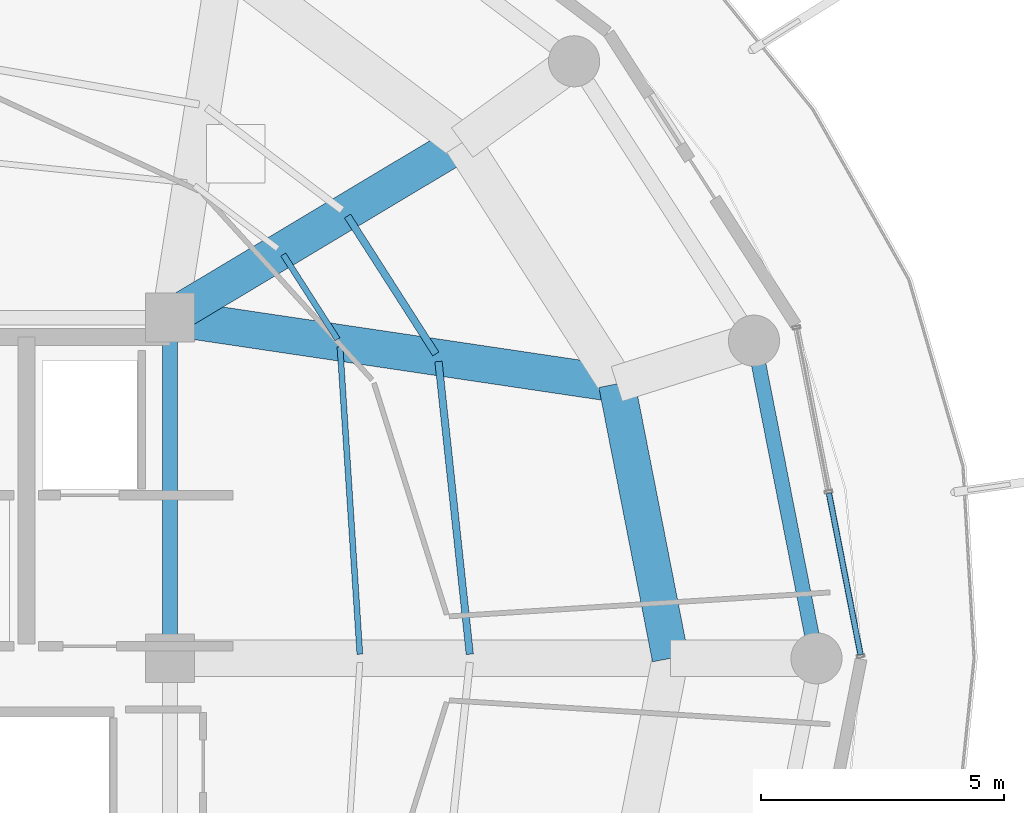
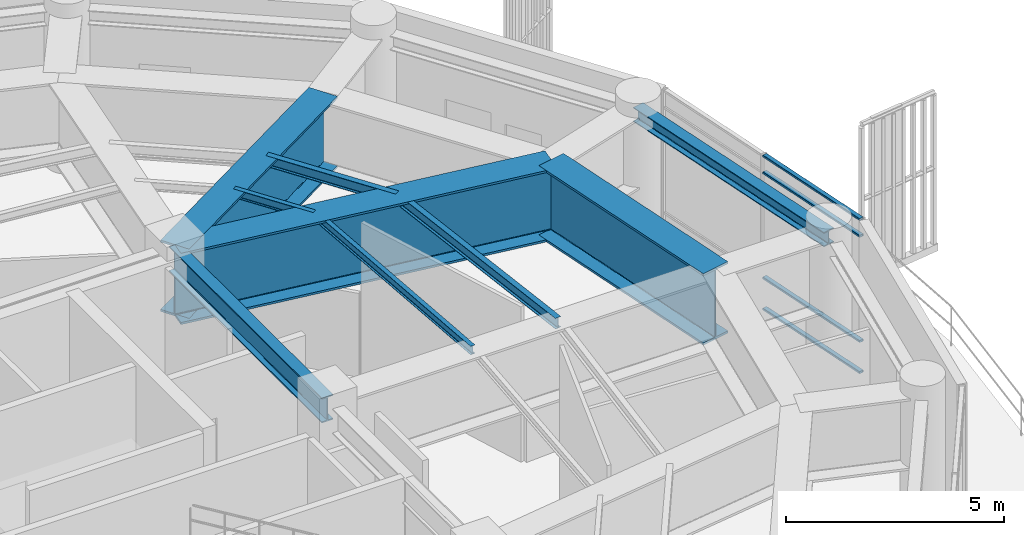
# One storey, part 14 of 29: 9 beams, 4 members, 1 element without a shape of its own.
"""IFC4 building model written with IfcOpenShell, lengths in metres."""

from ifc_helpers import new_model, si_unit, direction, frame, origin, origin_2d, place, context, subcontext, project, spatial, hollow_rectangle, i_section, extrude, material, layer, layer_set, material_profile, profile_set, type_object, element, aggregate, save


model = new_model("IFC4")

# Units and contexts
model_context = context("Model", 3, precision=1e-05, world=origin(), true_north=direction((0.0, 1.0)))
body_context = subcontext(model_context, "Body", "Model", "MODEL_VIEW")
ifc_project = project(units=[si_unit("LENGTHUNIT", "METRE"), si_unit("AREAUNIT", "SQUARE_METRE"), si_unit("VOLUMEUNIT", "CUBIC_METRE"), si_unit("PLANEANGLEUNIT", "RADIAN"), si_unit("MASSUNIT", "GRAM", prefix="KILO")], contexts=[model_context])

# Site, building, storey
site_placement = place(None, origin())
site = spatial("IfcSite", under=ifc_project, at=site_placement, CompositionType="ELEMENT")
building_placement = place(site_placement, origin())
building = spatial("IfcBuilding", under=site, at=building_placement, Name="Kelanora Arch Commons", CompositionType="ELEMENT")
storey_placement = place(building_placement, frame((0.0, 0.0, 238.199951171875)))
storey = spatial("IfcBuildingStorey", under=building, at=storey_placement, Name="L61", CompositionType="ELEMENT", Elevation=238.199951171875)

# Beams
ifc_material_1 = material(Name="Steel S355", Category="steel")
ifc_material_profile_1 = material_profile(ifc_material_1, i_section(OverallWidth=0.300048828125, OverallDepth=0.699951171875, WebThickness=0.01708984375, FlangeThickness=0.031982421875, FilletRadius=0.027099609375, at=origin_2d()), Name="HEB700")
ifc_profile_set_1 = profile_set([ifc_material_profile_1], Name="Steel S355")
beam_type_1 = type_object("IfcBeamType", Name="BM-CORE-HDR", PredefinedType="BEAM", material=ifc_profile_set_1)
beam_1_placement = place(storey_placement, frame((82.0, 58.0, 4.010009765625), z_axis=(0.0, 1.0, 0.0), x_axis=(-1.0, 0.0, 0.0)))
element("IfcBeam", 1, at=beam_1_placement, inside=storey, type_object=beam_type_1, Name="Core Header Beam 04 L61", PredefinedType="BEAM", context=body_context, shape_type="SweptSolid", body=[
    extrude(i_section(OverallWidth=0.300048828125, OverallDepth=0.699951171875, WebThickness=0.01708984375, FlangeThickness=0.031982421875, FilletRadius=0.027099609375, at=origin_2d()), origin(), (0.0, 0.0, 1.0), 7.0),
])
ifc_material_profile_2 = material_profile(ifc_material_1, i_section(OverallWidth=0.14990234375, OverallDepth=0.300048828125, WebThickness=0.007080078125, FlangeThickness=0.0107421875, FilletRadius=0.014892578125, at=origin_2d()), Name="IPE300")
ifc_profile_set_2 = profile_set([ifc_material_profile_2], Name="Steel S355")
beam_type_2 = type_object("IfcBeamType", Name="BM-JST-01", PredefinedType="JOIST", material=ifc_profile_set_2)
beam_2_placement = place(storey_placement, frame((88.158935546875, 58.08447265625, 4.2099609375), z_axis=(-0.106380594087, 0.994325484538, 0.0), x_axis=(-0.994325484538, -0.106380594087, 0.0)))
element("IfcBeam", 2, at=beam_2_placement, inside=storey, type_object=beam_type_2, Name="Secondary Chord Joist BJB-00 L61", PredefinedType="JOIST", context=body_context, shape_type="SweptSolid", body=[
    extrude(i_section(OverallWidth=0.14990234375, OverallDepth=0.300048828125, WebThickness=0.007080078125, FlangeThickness=0.0107421875, FilletRadius=0.014892578125, at=origin_2d()), origin(), (0.0, 0.0, 1.0), 6.04736328125),
])
beam_3_placement = place(storey_placement, frame((87.460693359375, 64.25341796875, 4.2099609375), z_axis=(-0.539321586177, 0.842099891155, 0.0), x_axis=(-0.842099891155, -0.539321586177, 0.0)))
element("IfcBeam", 3, at=beam_3_placement, inside=storey, type_object=beam_type_2, Name="Secondary Chord Joist BJB-02 L61", PredefinedType="JOIST", context=body_context, shape_type="SweptSolid", body=[
    extrude(i_section(OverallWidth=0.14990234375, OverallDepth=0.300048828125, WebThickness=0.007080078125, FlangeThickness=0.0107421875, FilletRadius=0.014892578125, at=origin_2d()), origin(), (0.0, 0.0, 1.0), 3.361572265625),
])
ifc_material_profile_3 = material_profile(ifc_material_1, i_section(OverallWidth=0.1201171875, OverallDepth=0.239990234375, WebThickness=0.006103515625, FlangeThickness=0.009765625, FilletRadius=0.014892578125, at=origin_2d()), Name="IPE240")
ifc_profile_set_3 = profile_set([ifc_material_profile_3], Name="Steel S355")
beam_type_3 = type_object("IfcBeamType", Name="BM-JST-02", PredefinedType="JOIST", material=ifc_profile_set_3)
beam_4_placement = place(storey_placement, frame((85.90087890625, 58.084716796875, 4.239990234375), z_axis=(-0.064495107978, 0.99791802321, 0.0), x_axis=(-0.99791802321, -0.064495107978, 0.0)))
element("IfcBeam", 4, at=beam_4_placement, inside=storey, type_object=beam_type_3, Name="Secondary Chord Joist BJA-00 L61", PredefinedType="JOIST", context=body_context, shape_type="SweptSolid", body=[
    extrude(i_section(OverallWidth=0.1201171875, OverallDepth=0.239990234375, WebThickness=0.006103515625, FlangeThickness=0.009765625, FilletRadius=0.014892578125, at=origin_2d()), origin(), (0.0, 0.0, 1.0), 6.325439453125),
])
beam_5_placement = place(storey_placement, frame((85.441650390625, 64.553466796875, 4.239990234375), z_axis=(-0.539311810315, 0.842106152011, 0.0), x_axis=(-0.842106152011, -0.539311810315, 0.0)))
element("IfcBeam", 5, at=beam_5_placement, inside=storey, type_object=beam_type_3, Name="Secondary Chord Joist BJA-02 L61", PredefinedType="JOIST", context=body_context, shape_type="SweptSolid", body=[
    extrude(i_section(OverallWidth=0.1201171875, OverallDepth=0.239990234375, WebThickness=0.006103515625, FlangeThickness=0.009765625, FilletRadius=0.014892578125, at=origin_2d()), origin(), (0.0, 0.0, 1.0), 2.06640625),
])
ifc_material_profile_4 = material_profile(ifc_material_1, i_section(OverallWidth=0.300048828125, OverallDepth=0.39990234375, WebThickness=0.013427734375, FlangeThickness=0.02392578125, FilletRadius=0.027099609375, at=origin_2d()), Name="HEB400")
ifc_profile_set_4 = profile_set([ifc_material_profile_4], Name="Steel S355")
beam_type_4 = type_object("IfcBeamType", Name="BM-SPN-Z4", PredefinedType="SPANDREL", material=ifc_profile_set_4)
beam_6_placement = place(storey_placement, frame((95.280029296875, 58.0, 4.16015625), z_axis=(-0.192980724826, 0.981202547819, 0.0), x_axis=(-0.981202547819, -0.192980724826, 0.0)))
element("IfcBeam", 6, at=beam_6_placement, inside=storey, type_object=beam_type_4, Name="Perimeter Spandrel Beam BS-00 L61", PredefinedType="SPANDREL", context=body_context, shape_type="SweptSolid", body=[
    extrude(i_section(OverallWidth=0.300048828125, OverallDepth=0.39990234375, WebThickness=0.013427734375, FlangeThickness=0.02392578125, FilletRadius=0.027099609375, at=origin_2d()), origin(), (0.0, 0.0, 1.0), 6.650634765625),
])
ifc_material_profile_5 = material_profile(ifc_material_1, i_section(OverallWidth=0.75, OverallDepth=2.0, WebThickness=0.034912109375, FlangeThickness=0.06005859375, FilletRadius=0.028076171875, at=origin_2d()), Name="PG2000x750")
ifc_profile_set_5 = profile_set([ifc_material_profile_5], Name="Steel S355")
beam_type_5 = type_object("IfcBeamType", Name="BM-XFER-SET", PredefinedType="USERDEFINED", material=ifc_profile_set_5)
beam_7_placement = place(storey_placement, frame((82.0, 65.0, 3.360107421875), z_axis=(0.989142485564, -0.146959665395, 0.0), x_axis=(0.146959665395, 0.989142485564, 0.0)))
element("IfcBeam", 7, at=beam_7_placement, inside=storey, type_object=beam_type_5, Name="Setback Radial Transfer Girder BRI-02 L61", ObjectType="TRANSFER_GIRDER", PredefinedType="USERDEFINED", context=body_context, shape_type="SweptSolid", body=[
    extrude(i_section(OverallWidth=0.75, OverallDepth=2.0, WebThickness=0.034912109375, FlangeThickness=0.06005859375, FilletRadius=0.028076171875, at=origin_2d()), origin(), (0.0, 0.0, 1.0), 9.2783203125),
])
beam_8_placement = place(storey_placement, frame((82.0, 65.0, 3.360107421875), z_axis=(0.858062005744, 0.513546097541, 0.0), x_axis=(-0.513546097541, 0.858062005744, 0.0)))
element("IfcBeam", 8, at=beam_8_placement, inside=storey, type_object=beam_type_5, Name="Setback Radial Transfer Girder BRI-04 L61", ObjectType="TRANSFER_GIRDER", PredefinedType="USERDEFINED", context=body_context, shape_type="SweptSolid", body=[
    extrude(i_section(OverallWidth=0.75, OverallDepth=2.0, WebThickness=0.034912109375, FlangeThickness=0.06005859375, FilletRadius=0.028076171875, at=origin_2d()), origin(), (0.0, 0.0, 1.0), 6.99658203125),
])
beam_9_placement = place(storey_placement, frame((92.280029296875, 58.0, 3.360107421875), z_axis=(-0.191969774604, 0.981400838413, 0.0), x_axis=(-0.981400838413, -0.191969774604, 0.0)))
element("IfcBeam", 9, at=beam_9_placement, inside=storey, type_object=beam_type_5, Name="Setback Inner Transfer Ring BSI-00 L61", ObjectType="TRANSFER_GIRDER", PredefinedType="USERDEFINED", context=body_context, shape_type="SweptSolid", body=[
    extrude(i_section(OverallWidth=0.75, OverallDepth=2.0, WebThickness=0.034912109375, FlangeThickness=0.06005859375, FilletRadius=0.028076171875, at=origin_2d()), origin(), (0.0, 0.0, 1.0), 5.743408203125),
])

# Curtain wall, members
ifc_material_2 = material(Name="Terracotta ceramic-fritted low-E glass and aluminium", Category="masonry")
ifc_layer = layer(ifc_material_2, 0.175048828125)
ifc_layer_set = layer_set([ifc_layer], Name="Terracotta ceramic-fritted low-E glass and aluminium")
curtain_wall_type = type_object("IfcCurtainWallType", Name="CW-SYS-02", PredefinedType="NOTDEFINED", material=ifc_layer_set)
curtain_wall_placement = place(storey_placement, origin())
curtain_wall = element("IfcCurtainWall", 10, at=curtain_wall_placement, inside=storey, type_object=curtain_wall_type, Name="Unitised Curtain Wall L61-B00", PredefinedType="NOTDEFINED")
ifc_material_3 = material(Name="Powder-coated aluminium terracotta", Category="masonry")
ifc_material_profile_6 = material_profile(ifc_material_3, hollow_rectangle(XDim=0.1201171875, YDim=0.06005859375, WallThickness=0.0048828125, InnerFilletRadius=0.0048828125, OuterFilletRadius=0.010009765625, at=origin_2d()), Name="CWT120x60")
ifc_profile_set_6 = profile_set([ifc_material_profile_6], Name="Powder-coated aluminium terracotta")
member_type = type_object("IfcMemberType", Name="CWT-STD", PredefinedType="USERDEFINED", material=ifc_profile_set_6)
member_1_placement = place(storey_placement, frame((96.185546875, 58.073486328125, 0.030029296875), z_axis=(-0.192044874899, 0.981386145218, 0.0), x_axis=(-0.981386145218, -0.192044874899, 0.0)))
member_1 = element("IfcMember", 11, at=member_1_placement, type_object=member_type, Name="CW-02 transom 1.1", ObjectType="TRANSOM", PredefinedType="USERDEFINED", context=body_context, shape_type="SweptSolid", body=[
    extrude(hollow_rectangle(XDim=0.1201171875, YDim=0.06005859375, WallThickness=0.0048828125, InnerFilletRadius=0.0048828125, OuterFilletRadius=0.010009765625, at=origin_2d()), origin(), (0.0, 0.0, 1.0), 3.38037109375),
])
member_2_placement = place(storey_placement, frame((96.185546875, 58.073486328125, 0.900146484375), z_axis=(-0.192044874899, 0.981386145218, 0.0), x_axis=(-0.981386145218, -0.192044874899, 0.0)))
member_2 = element("IfcMember", 12, at=member_2_placement, type_object=member_type, Name="CW-02 transom 1.2", ObjectType="TRANSOM", PredefinedType="USERDEFINED", context=body_context, shape_type="SweptSolid", body=[
    extrude(hollow_rectangle(XDim=0.1201171875, YDim=0.06005859375, WallThickness=0.0048828125, InnerFilletRadius=0.0048828125, OuterFilletRadius=0.010009765625, at=origin_2d()), origin(), (0.0, 0.0, 1.0), 3.38037109375),
])
member_3_placement = place(storey_placement, frame((96.185546875, 58.073486328125, 3.844970703125), z_axis=(-0.192044874899, 0.981386145218, 0.0), x_axis=(-0.981386145218, -0.192044874899, 0.0)))
member_3 = element("IfcMember", 13, at=member_3_placement, type_object=member_type, Name="CW-02 transom 1.3", ObjectType="TRANSOM", PredefinedType="USERDEFINED", context=body_context, shape_type="SweptSolid", body=[
    extrude(hollow_rectangle(XDim=0.1201171875, YDim=0.06005859375, WallThickness=0.0048828125, InnerFilletRadius=0.0048828125, OuterFilletRadius=0.010009765625, at=origin_2d()), origin(), (0.0, 0.0, 1.0), 3.38037109375),
])
member_4_placement = place(storey_placement, frame((96.185546875, 58.073486328125, 4.31494140625), z_axis=(-0.192044874899, 0.981386145218, 0.0), x_axis=(-0.981386145218, -0.192044874899, 0.0)))
member_4 = element("IfcMember", 14, at=member_4_placement, type_object=member_type, Name="CW-02 transom 1.4", ObjectType="TRANSOM", PredefinedType="USERDEFINED", context=body_context, shape_type="SweptSolid", body=[
    extrude(hollow_rectangle(XDim=0.1201171875, YDim=0.06005859375, WallThickness=0.0048828125, InnerFilletRadius=0.0048828125, OuterFilletRadius=0.010009765625, at=origin_2d()), origin(), (0.0, 0.0, 1.0), 3.38037109375),
])
aggregate(curtain_wall, [member_1, member_2, member_3, member_4])

save(model, "model.ifc")
